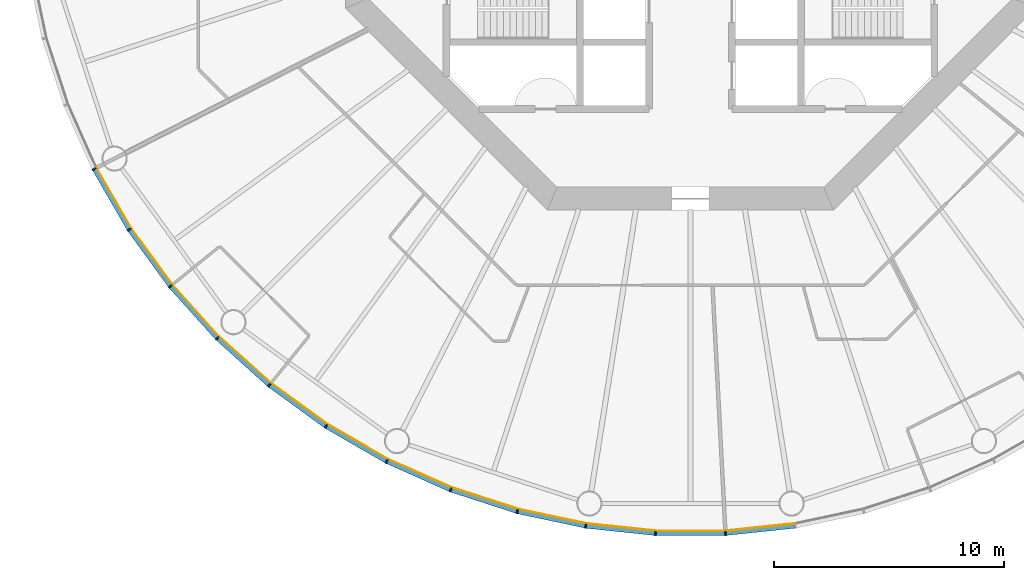
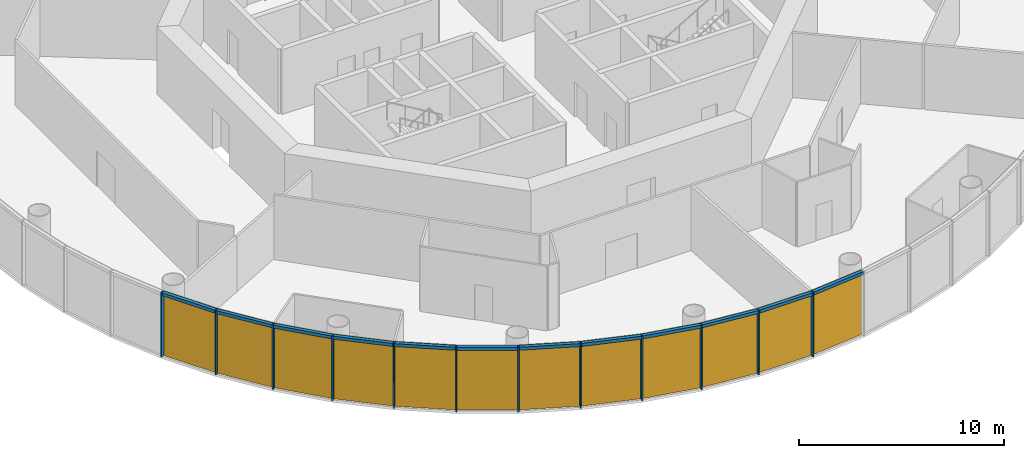
# One storey, part 7 of 13: 24 members, 4 curtain walls.
"""IFC4 building model written with IfcOpenShell, lengths in metres."""

from ifc_helpers import new_model, si_unit, direction, frame, origin, origin_2d, place, context, subcontext, project, spatial, polyline, rectangle, outline, extrude, material, layer, layer_set, material_profile, profile_set, type_object, element, aggregate, save


model = new_model("IFC4")

# Units and contexts
model_context = context("Model", 3, precision=1e-05, world=origin(), true_north=direction((0.0, 1.0)))
body_context = subcontext(model_context, "Body", "Model", "MODEL_VIEW")
ifc_project = project(units=[si_unit("LENGTHUNIT", "METRE"), si_unit("AREAUNIT", "SQUARE_METRE"), si_unit("VOLUMEUNIT", "CUBIC_METRE"), si_unit("PLANEANGLEUNIT", "RADIAN"), si_unit("MASSUNIT", "GRAM", prefix="KILO")], contexts=[model_context])

# Member
ifc_material_1 = material(Name="Anodised aluminium", Category="aluminium")
ifc_material_profile_1 = material_profile(ifc_material_1, rectangle(XDim=0.06494140625, YDim=0.18505859375, at=origin_2d()), Name="Mullion 65 x 185 mm anodised aluminium")
ifc_profile_set_1 = profile_set([ifc_material_profile_1], Name="Anodised aluminium")
member_type_1 = type_object("IfcMemberType", Name="Mullion 65 x 185 mm anodised aluminium", PredefinedType="MULLION", material=ifc_profile_set_1)
site_placement = place(None, origin())
building_placement = place(site_placement, origin())
storey_placement = place(building_placement, frame((0.0, 0.0, 184.0)))
member_1_placement = place(storey_placement, frame((64.078369140625, 66.792236328125, 0.0), z_axis=(0.0, 0.0, 1.0), x_axis=(0.45399049974, -0.891006524188, 0.0)))
member_1 = element("IfcMember", 1, at=member_1_placement, type_object=member_type_1, Name="MULLION L42-33", PredefinedType="MULLION", context=body_context, shape_type="SweptSolid", body=[
    extrude(rectangle(XDim=0.06494140625, YDim=0.18505859375, at=origin_2d()), origin(), (0.0, 0.0, 1.0), 3.85009765625),
])

member_2_placement = place(storey_placement, frame((65.60107421875, 64.155029296875, 0.0), z_axis=(0.0, 0.0, 1.0), x_axis=(0.544639035015, -0.838670567945, 0.0)))
member_2 = element("IfcMember", 2, at=member_2_placement, type_object=member_type_1, Name="MULLION L42-34", PredefinedType="MULLION", context=body_context, shape_type="SweptSolid", body=[
    extrude(rectangle(XDim=0.06494140625, YDim=0.18505859375, at=origin_2d()), origin(), (0.0, 0.0, 1.0), 3.85009765625),
])

member_3_placement = place(storey_placement, frame((67.390869140625, 61.69140625, 0.0), z_axis=(0.0, 0.0, 1.0), x_axis=(0.62932039105, -0.777145961457, 0.0)))
member_3 = element("IfcMember", 3, at=member_3_placement, type_object=member_type_1, Name="MULLION L42-35", PredefinedType="MULLION", context=body_context, shape_type="SweptSolid", body=[
    extrude(rectangle(XDim=0.06494140625, YDim=0.18505859375, at=origin_2d()), origin(), (0.0, 0.0, 1.0), 3.85009765625),
])

member_4_placement = place(storey_placement, frame((69.428466796875, 59.428466796875, 0.0), z_axis=(0.0, 0.0, 1.0), x_axis=(0.707106781187, -0.707106781187, 0.0)))
member_4 = element("IfcMember", 4, at=member_4_placement, type_object=member_type_1, Name="MULLION L42-36", PredefinedType="MULLION", context=body_context, shape_type="SweptSolid", body=[
    extrude(rectangle(XDim=0.06494140625, YDim=0.18505859375, at=origin_2d()), origin(), (0.0, 0.0, 1.0), 3.85009765625),
])

member_5_placement = place(storey_placement, frame((71.69140625, 57.390869140625, 0.0), z_axis=(0.0, 0.0, 1.0), x_axis=(0.777145961457, -0.62932039105, 0.0)))
member_5 = element("IfcMember", 5, at=member_5_placement, type_object=member_type_1, Name="MULLION L42-37", PredefinedType="MULLION", context=body_context, shape_type="SweptSolid", body=[
    extrude(rectangle(XDim=0.06494140625, YDim=0.18505859375, at=origin_2d()), origin(), (0.0, 0.0, 1.0), 3.85009765625),
])

member_6_placement = place(storey_placement, frame((74.155029296875, 55.60107421875, 0.0), z_axis=(0.0, 0.0, 1.0), x_axis=(0.838670567945, -0.544639035015, 0.0)))
member_6 = element("IfcMember", 6, at=member_6_placement, type_object=member_type_1, Name="MULLION L42-38", PredefinedType="MULLION", context=body_context, shape_type="SweptSolid", body=[
    extrude(rectangle(XDim=0.06494140625, YDim=0.18505859375, at=origin_2d()), origin(), (0.0, 0.0, 1.0), 3.85009765625),
])

member_7_placement = place(storey_placement, frame((76.792236328125, 54.078369140625, 0.0), z_axis=(0.0, 0.0, 1.0), x_axis=(0.891006524188, -0.45399049974, 0.0)))
member_7 = element("IfcMember", 7, at=member_7_placement, type_object=member_type_1, Name="MULLION L42-39", PredefinedType="MULLION", context=body_context, shape_type="SweptSolid", body=[
    extrude(rectangle(XDim=0.06494140625, YDim=0.18505859375, at=origin_2d()), origin(), (0.0, 0.0, 1.0), 3.85009765625),
])

member_8_placement = place(storey_placement, frame((79.57421875, 52.83984375, 0.0), z_axis=(0.0, 0.0, 1.0), x_axis=(0.933580426497, -0.358367949545, 0.0)))
member_8 = element("IfcMember", 8, at=member_8_placement, type_object=member_type_1, Name="MULLION L42-40", PredefinedType="MULLION", context=body_context, shape_type="SweptSolid", body=[
    extrude(rectangle(XDim=0.06494140625, YDim=0.18505859375, at=origin_2d()), origin(), (0.0, 0.0, 1.0), 3.85009765625),
])

member_9_placement = place(storey_placement, frame((82.47021484375, 51.898681640625, 0.0), z_axis=(0.0, 0.0, 1.0), x_axis=(0.965925826289, -0.258819045103, 0.0)))
member_9 = element("IfcMember", 9, at=member_9_placement, type_object=member_type_1, Name="MULLION L42-41", PredefinedType="MULLION", context=body_context, shape_type="SweptSolid", body=[
    extrude(rectangle(XDim=0.06494140625, YDim=0.18505859375, at=origin_2d()), origin(), (0.0, 0.0, 1.0), 3.85009765625),
])

member_10_placement = place(storey_placement, frame((85.448974609375, 51.265625, 0.0), z_axis=(0.0, 0.0, 1.0), x_axis=(0.987688340595, -0.15643446504, 0.0)))
member_10 = element("IfcMember", 10, at=member_10_placement, type_object=member_type_1, Name="MULLION L42-42", PredefinedType="MULLION", context=body_context, shape_type="SweptSolid", body=[
    extrude(rectangle(XDim=0.06494140625, YDim=0.18505859375, at=origin_2d()), origin(), (0.0, 0.0, 1.0), 3.85009765625),
])

member_11_placement = place(storey_placement, frame((88.477294921875, 50.947265625, 0.0), z_axis=(0.0, 0.0, 1.0), x_axis=(0.998629534755, -0.052335956243, 0.0)))
member_11 = element("IfcMember", 11, at=member_11_placement, type_object=member_type_1, Name="MULLION L42-43", PredefinedType="MULLION", context=body_context, shape_type="SweptSolid", body=[
    extrude(rectangle(XDim=0.06494140625, YDim=0.18505859375, at=origin_2d()), origin(), (0.0, 0.0, 1.0), 3.85009765625),
])

member_12_placement = place(storey_placement, frame((91.522705078125, 50.947265625, 0.0), z_axis=(0.0, 0.0, 1.0), x_axis=(0.998629534755, 0.052335956243, 0.0)))
member_12 = element("IfcMember", 12, at=member_12_placement, type_object=member_type_1, Name="MULLION L42-44", PredefinedType="MULLION", context=body_context, shape_type="SweptSolid", body=[
    extrude(rectangle(XDim=0.06494140625, YDim=0.18505859375, at=origin_2d()), origin(), (0.0, 0.0, 1.0), 3.85009765625),
])

ifc_material_2 = material(Name="Anodised aluminium", Category="aluminium")
ifc_material_profile_2 = material_profile(ifc_material_2, rectangle(XDim=0.18505859375, YDim=0.175048828125, at=origin_2d()), Name="Transom 175 x 185 mm anodised aluminium")
ifc_profile_set_2 = profile_set([ifc_material_profile_2], Name="Anodised aluminium")
member_type_2 = type_object("IfcMemberType", Name="Transom 175 x 185 mm anodised aluminium", PredefinedType="USERDEFINED", material=ifc_profile_set_2)
member_13_placement = place(storey_placement, frame((64.096923828125, 66.759765625, 3.762451171875), z_axis=(0.500028367561, -0.866009025146, 0.0), x_axis=(0.866009025146, 0.500028367561, 0.0)))
member_13 = element("IfcMember", 13, at=member_13_placement, type_object=member_type_2, Name="TRANSOM L42-33", ObjectType="TRANSOM", PredefinedType="USERDEFINED", context=body_context, shape_type="SweptSolid", body=[
    extrude(rectangle(XDim=0.18505859375, YDim=0.175048828125, at=origin_2d()), origin(), (0.0, 0.0, 1.0), 2.970458984375),
])

member_14_placement = place(storey_placement, frame((65.622802734375, 64.124755859375, 3.762451171875), z_axis=(0.587819781808, -0.808991906087, 0.0), x_axis=(0.808991906087, 0.587819781808, 0.0)))
member_14 = element("IfcMember", 14, at=member_14_placement, type_object=member_type_2, Name="TRANSOM L42-34", ObjectType="TRANSOM", PredefinedType="USERDEFINED", context=body_context, shape_type="SweptSolid", body=[
    extrude(rectangle(XDim=0.18505859375, YDim=0.175048828125, at=origin_2d()), origin(), (0.0, 0.0, 1.0), 2.970458984375),
])

member_15_placement = place(storey_placement, frame((67.415771484375, 61.66357421875, 3.762451171875), z_axis=(0.669110027395, -0.743163354343, 0.0), x_axis=(0.743163354343, 0.669110027395, 0.0)))
member_15 = element("IfcMember", 15, at=member_15_placement, type_object=member_type_2, Name="TRANSOM L42-35", ObjectType="TRANSOM", PredefinedType="USERDEFINED", context=body_context, shape_type="SweptSolid", body=[
    extrude(rectangle(XDim=0.18505859375, YDim=0.175048828125, at=origin_2d()), origin(), (0.0, 0.0, 1.0), 2.970458984375),
])

member_16_placement = place(storey_placement, frame((69.4560546875, 59.4033203125, 3.762451171875), z_axis=(0.743163354343, -0.669110027395, 0.0), x_axis=(0.669110027395, 0.743163354343, 0.0)))
member_16 = element("IfcMember", 16, at=member_16_placement, type_object=member_type_2, Name="TRANSOM L42-36", ObjectType="TRANSOM", PredefinedType="USERDEFINED", context=body_context, shape_type="SweptSolid", body=[
    extrude(rectangle(XDim=0.18505859375, YDim=0.175048828125, at=origin_2d()), origin(), (0.0, 0.0, 1.0), 2.970458984375),
])

member_17_placement = place(storey_placement, frame((71.7216796875, 57.368896484375, 3.762451171875), z_axis=(0.808991906087, -0.587819781808, 0.0), x_axis=(0.587819781808, 0.808991906087, 0.0)))
member_17 = element("IfcMember", 17, at=member_17_placement, type_object=member_type_2, Name="TRANSOM L42-37", ObjectType="TRANSOM", PredefinedType="USERDEFINED", context=body_context, shape_type="SweptSolid", body=[
    extrude(rectangle(XDim=0.18505859375, YDim=0.175048828125, at=origin_2d()), origin(), (0.0, 0.0, 1.0), 2.970458984375),
])

member_18_placement = place(storey_placement, frame((74.187255859375, 55.582275390625, 3.762451171875), z_axis=(0.866009025146, -0.500028367561, 0.0), x_axis=(0.500028367561, 0.866009025146, 0.0)))
member_18 = element("IfcMember", 18, at=member_18_placement, type_object=member_type_2, Name="TRANSOM L42-38", ObjectType="TRANSOM", PredefinedType="USERDEFINED", context=body_context, shape_type="SweptSolid", body=[
    extrude(rectangle(XDim=0.18505859375, YDim=0.175048828125, at=origin_2d()), origin(), (0.0, 0.0, 1.0), 2.970458984375),
])

member_19_placement = place(storey_placement, frame((76.826416015625, 54.06298828125, 3.762451171875), z_axis=(0.913567348806, -0.406687471156, 0.0), x_axis=(0.406687471156, 0.913567348806, 0.0)))
member_19 = element("IfcMember", 19, at=member_19_placement, type_object=member_type_2, Name="TRANSOM L42-39", ObjectType="TRANSOM", PredefinedType="USERDEFINED", context=body_context, shape_type="SweptSolid", body=[
    extrude(rectangle(XDim=0.18505859375, YDim=0.175048828125, at=origin_2d()), origin(), (0.0, 0.0, 1.0), 2.970458984375),
])

member_20_placement = place(storey_placement, frame((79.609619140625, 52.828125, 3.762451171875), z_axis=(0.951055809184, -0.30901917063, 0.0), x_axis=(0.30901917063, 0.951055809184, 0.0)))
member_20 = element("IfcMember", 20, at=member_20_placement, type_object=member_type_2, Name="TRANSOM L42-40", ObjectType="TRANSOM", PredefinedType="USERDEFINED", context=body_context, shape_type="SweptSolid", body=[
    extrude(rectangle(XDim=0.18505859375, YDim=0.175048828125, at=origin_2d()), origin(), (0.0, 0.0, 1.0), 2.970703125),
])

member_21_placement = place(storey_placement, frame((82.5068359375, 51.890869140625, 3.762451171875), z_axis=(0.97815822425, -0.207861704825, 0.0), x_axis=(0.207861704825, 0.97815822425, 0.0)))
member_21 = element("IfcMember", 21, at=member_21_placement, type_object=member_type_2, Name="TRANSOM L42-41", ObjectType="TRANSOM", PredefinedType="USERDEFINED", context=body_context, shape_type="SweptSolid", body=[
    extrude(rectangle(XDim=0.18505859375, YDim=0.175048828125, at=origin_2d()), origin(), (0.0, 0.0, 1.0), 2.970458984375),
])

member_22_placement = place(storey_placement, frame((85.486083984375, 51.26171875, 3.762451171875), z_axis=(0.994519855197, -0.104547872381, 0.0), x_axis=(0.104547872381, 0.994519855197, 0.0)))
member_22 = element("IfcMember", 22, at=member_22_placement, type_object=member_type_2, Name="TRANSOM L42-42", ObjectType="TRANSOM", PredefinedType="USERDEFINED", context=body_context, shape_type="SweptSolid", body=[
    extrude(rectangle(XDim=0.18505859375, YDim=0.175048828125, at=origin_2d()), origin(), (0.0, 0.0, 1.0), 2.970458984375),
])

member_23_placement = place(storey_placement, frame((88.5146484375, 50.947265625, 3.762451171875), z_axis=(1.0, 0.0, 0.0), x_axis=(0.0, 1.0, 0.0)))
member_23 = element("IfcMember", 23, at=member_23_placement, type_object=member_type_2, Name="TRANSOM L42-43", ObjectType="TRANSOM", PredefinedType="USERDEFINED", context=body_context, shape_type="SweptSolid", body=[
    extrude(rectangle(XDim=0.18505859375, YDim=0.175048828125, at=origin_2d()), origin(), (0.0, 0.0, 1.0), 2.970703125),
])

member_24_placement = place(storey_placement, frame((91.559814453125, 50.951171875, 3.762451171875), z_axis=(0.994519855197, 0.104547872381, 0.0), x_axis=(-0.104547872381, 0.994519855197, 0.0)))
member_24 = element("IfcMember", 24, at=member_24_placement, type_object=member_type_2, Name="TRANSOM L42-44", ObjectType="TRANSOM", PredefinedType="USERDEFINED", context=body_context, shape_type="SweptSolid", body=[
    extrude(rectangle(XDim=0.18505859375, YDim=0.175048828125, at=origin_2d()), origin(), (0.0, 0.0, 1.0), 2.970458984375),
])

# Site, building, storey
site = spatial("IfcSite", under=ifc_project, at=site_placement, CompositionType="ELEMENT")
building = spatial("IfcBuilding", under=site, at=building_placement, Name="Entoto Ring Tower", CompositionType="ELEMENT")
storey = spatial("IfcBuildingStorey", under=building, at=storey_placement, Name="L42", CompositionType="ELEMENT", Elevation=184.0)

# Curtain wall
ifc_material_3 = material(Name="Clear low-iron glass", Category="glass")
ifc_layer = layer(ifc_material_3, 0.033935546875)
ifc_layer_set = layer_set([ifc_layer], Name="Clear low-iron glass")
curtain_wall_type = type_object("IfcCurtainWallType", Name="Curtain wall system CW3 glazing 34 mm", PredefinedType="NOTDEFINED", material=ifc_layer_set)
curtain_wall_1_placement = place(storey_placement, origin())
curtain_wall_1 = element("IfcCurtainWall", 25, at=curtain_wall_1_placement, inside=storey, type_object=curtain_wall_type, Name="CW3 L42-12", PredefinedType="NOTDEFINED", context=body_context, shape_type="SweptSolid", body=[
    extrude(outline(polyline([(64.160888671875, 66.834228515625), (65.678466796875, 64.20556640625), (67.462646484375, 61.749755859375), (69.493896484375, 59.493896484375), (69.51806640625, 59.51806640625), (67.4892578125, 61.771240234375), (65.70703125, 64.22412109375), (64.191162109375, 66.849853515625), (64.160888671875, 66.834228515625)])), origin(), (0.0, 0.0, 1.0), 3.85009765625),
])

aggregate(curtain_wall_1, [member_1, member_2, member_3, member_13, member_14, member_15])

curtain_wall_2_placement = place(storey_placement, origin())
curtain_wall_2 = element("IfcCurtainWall", 26, at=curtain_wall_2_placement, inside=storey, type_object=curtain_wall_type, Name="CW3 L42-13", PredefinedType="NOTDEFINED", context=body_context, shape_type="SweptSolid", body=[
    extrude(outline(polyline([(69.493896484375, 59.493896484375), (71.749755859375, 57.462646484375), (74.20556640625, 55.678466796875), (76.834228515625, 54.160888671875), (76.849853515625, 54.191162109375), (74.22412109375, 55.70703125), (71.771240234375, 57.4892578125), (69.51806640625, 59.51806640625), (69.493896484375, 59.493896484375)])), origin(), (0.0, 0.0, 1.0), 3.85009765625),
])

aggregate(curtain_wall_2, [member_4, member_5, member_6, member_16, member_17, member_18])

curtain_wall_3_placement = place(storey_placement, origin())
curtain_wall_3 = element("IfcCurtainWall", 27, at=curtain_wall_3_placement, inside=storey, type_object=curtain_wall_type, Name="CW3 L42-14", PredefinedType="NOTDEFINED", context=body_context, shape_type="SweptSolid", body=[
    extrude(outline(polyline([(76.834228515625, 54.160888671875), (79.607421875, 52.92626953125), (82.494140625, 51.988037109375), (85.46337890625, 51.35693359375), (85.46875, 51.390625), (82.503173828125, 52.02099609375), (79.61962890625, 52.9580078125), (76.849853515625, 54.191162109375), (76.834228515625, 54.160888671875)])), origin(), (0.0, 0.0, 1.0), 3.85009765625),
])

aggregate(curtain_wall_3, [member_7, member_8, member_9, member_19, member_20, member_21])

curtain_wall_4_placement = place(storey_placement, origin())
curtain_wall_4 = element("IfcCurtainWall", 28, at=curtain_wall_4_placement, inside=storey, type_object=curtain_wall_type, Name="CW3 L42-15", PredefinedType="NOTDEFINED", context=body_context, shape_type="SweptSolid", body=[
    extrude(outline(polyline([(85.46337890625, 51.35693359375), (88.482177734375, 51.039794921875), (91.517822265625, 51.039794921875), (94.53662109375, 51.35693359375), (94.53125, 51.390625), (91.515869140625, 51.07373046875), (88.484130859375, 51.07373046875), (85.46875, 51.390625), (85.46337890625, 51.35693359375)])), origin(), (0.0, 0.0, 1.0), 3.85009765625),
])

aggregate(curtain_wall_4, [member_10, member_11, member_12, member_22, member_23, member_24])

save(model, "model.ifc")
